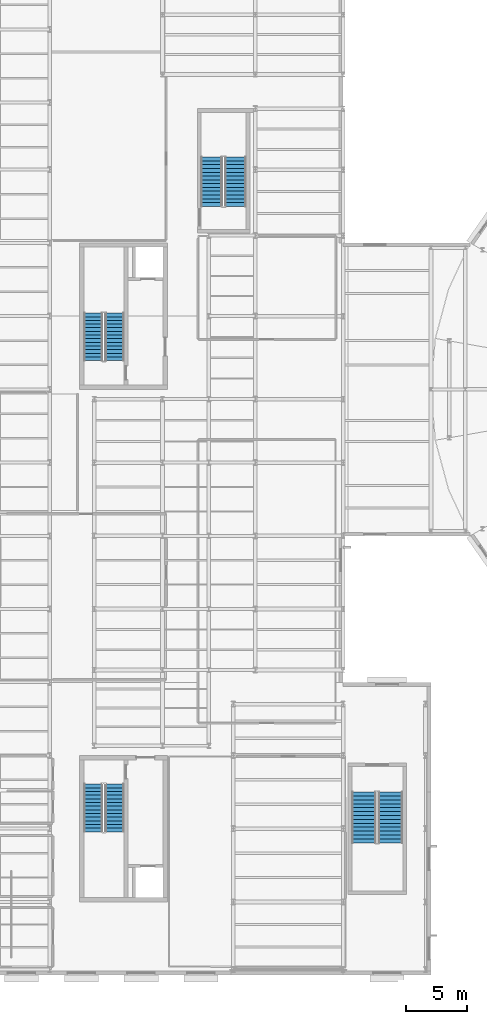
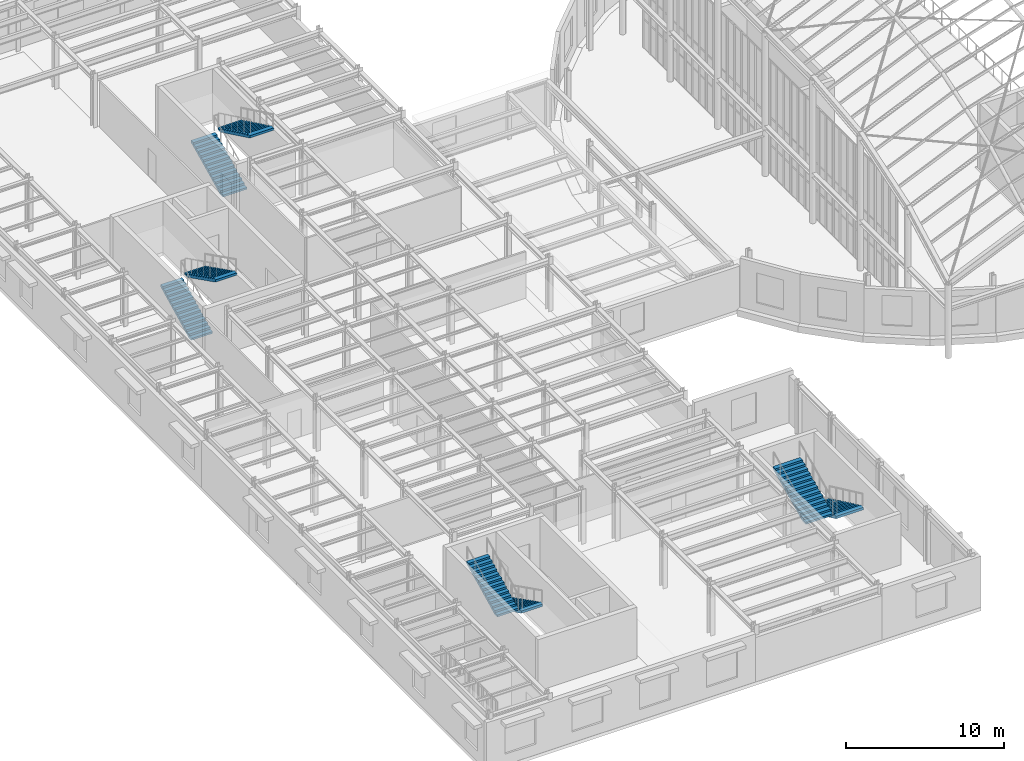
# One storey, part 68 of 75: 8 stair flights, 4 elements without a shape of their own.
"""IFC4 building model written with IfcOpenShell, lengths in metres."""

from ifc_helpers import new_model, si_unit, direction, frame, origin, place, context, subcontext, project, spatial, polyline, outline, extrude, material, type_object, element, aggregate, save


model = new_model("IFC4")

# Units and contexts
model_context = context("Model", 3, precision=1e-05, world=origin(), true_north=direction((0.0, 1.0)))
body_context = subcontext(model_context, "Body", "Model", "MODEL_VIEW")
ifc_project = project(units=[si_unit("LENGTHUNIT", "METRE"), si_unit("AREAUNIT", "SQUARE_METRE"), si_unit("VOLUMEUNIT", "CUBIC_METRE"), si_unit("PLANEANGLEUNIT", "RADIAN"), si_unit("MASSUNIT", "GRAM", prefix="KILO")], contexts=[model_context])

# Site, building, storey
site_placement = place(None, origin())
site = spatial("IfcSite", under=ifc_project, at=site_placement, CompositionType="ELEMENT")
building_placement = place(site_placement, origin())
building = spatial("IfcBuilding", under=site, at=building_placement, Name="Kolvaren Corner Interchange", CompositionType="ELEMENT")
storey_placement = place(building_placement, frame((0.0, 0.0, 10.5)))
storey = spatial("IfcBuildingStorey", under=building, at=storey_placement, Name="L03", CompositionType="ELEMENT", Elevation=10.5)

# Stair, stair flights
ifc_material_1 = material(Name="Concrete C35/45", Category="concrete")
stair_type_1 = type_object("IfcStairType", Name="ST-FF-1550", PredefinedType="HALF_TURN_STAIR", material=ifc_material_1)
stair_1_placement = place(storey_placement, origin())
stair_1 = element("IfcStair", 1, at=stair_1_placement, inside=storey, type_object=stair_type_1, Name="Core C1 Southwest Firefighting Stair L03 to L04 Stair", PredefinedType="HALF_TURN_STAIR")
ifc_material_2 = material(Name="Concrete C35/45", Category="concrete")
stair_flight_type_1 = type_object("IfcStairFlightType", Name="SFT-FF-1550", PredefinedType="STRAIGHT", material=ifc_material_2)
stair_flight_1_placement = place(storey_placement, frame((10.074951171875, 15.64990234375, 0.0), z_axis=(0.0, 0.0, 1.0), x_axis=(0.0, -1.0, 0.0)))
stair_flight_1 = element("IfcStairFlight", 2, at=stair_flight_1_placement, type_object=stair_flight_type_1, Name="Core C1 Southwest Firefighting Stair L03 Lower Flight", NumberOfRisers=14, NumberOfTreads=13, PredefinedType="STRAIGHT", RiserHeight=0.15, TreadLength=0.3, context=body_context, shape_type="SweptSolid", body=[
    extrude(outline(polyline([(0.0, 0.0), (0.0, 0.14990234375), (0.300048828125, 0.14990234375), (0.300048828125, 0.300048828125), (0.60009765625, 0.300048828125), (0.60009765625, 0.449951171875), (0.89990234375, 0.449951171875), (0.89990234375, 0.60009765625), (1.199951171875, 0.60009765625), (1.199951171875, 0.75), (1.5, 0.75), (1.5, 0.89990234375), (1.800048828125, 0.89990234375), (1.800048828125, 1.050048828125), (2.10009765625, 1.050048828125), (2.10009765625, 1.199951171875), (2.39990234375, 1.199951171875), (2.39990234375, 1.35009765625), (2.699951171875, 1.35009765625), (2.699951171875, 1.5), (3.0, 1.5), (3.0, 1.64990234375), (3.300048828125, 1.64990234375), (3.300048828125, 1.800048828125), (3.60009765625, 1.800048828125), (3.60009765625, 1.949951171875), (3.89990234375, 1.949951171875), (3.89990234375, 2.10009765625), (3.89990234375, 1.771240234375), (0.357666015625, 0.0), (0.0, 0.0)])), frame((0.0, 0.77490234375, 0.0), z_axis=(0.0, -1.0, 0.0), x_axis=(1.0, 0.0, 0.0)), (0.0, 0.0, 1.0), 1.550048828125),
])
stair_flight_2_placement = place(storey_placement, frame((8.324951171875, 11.75, 2.10009765625), z_axis=(0.0, 0.0, 1.0), x_axis=(0.0, 1.0, 0.0)))
stair_flight_2 = element("IfcStairFlight", 3, at=stair_flight_2_placement, type_object=stair_flight_type_1, Name="Core C1 Southwest Firefighting Stair L03 Upper Flight", NumberOfRisers=14, NumberOfTreads=13, PredefinedType="STRAIGHT", RiserHeight=0.15, TreadLength=0.3, context=body_context, shape_type="SweptSolid", body=[
    extrude(outline(polyline([(0.0, 0.0), (0.0, 0.14990234375), (0.300048828125, 0.14990234375), (0.300048828125, 0.300048828125), (0.60009765625, 0.300048828125), (0.60009765625, 0.449951171875), (0.89990234375, 0.449951171875), (0.89990234375, 0.60009765625), (1.199951171875, 0.60009765625), (1.199951171875, 0.75), (1.5, 0.75), (1.5, 0.89990234375), (1.800048828125, 0.89990234375), (1.800048828125, 1.050048828125), (2.10009765625, 1.050048828125), (2.10009765625, 1.199951171875), (2.39990234375, 1.199951171875), (2.39990234375, 1.35009765625), (2.699951171875, 1.35009765625), (2.699951171875, 1.5), (3.0, 1.5), (3.0, 1.64990234375), (3.300048828125, 1.64990234375), (3.300048828125, 1.800048828125), (3.60009765625, 1.800048828125), (3.60009765625, 1.949951171875), (3.89990234375, 1.949951171875), (3.89990234375, 2.10009765625), (3.89990234375, 1.771240234375), (0.357666015625, 0.0), (0.0, 0.0)])), frame((0.0, 0.77490234375, 0.0), z_axis=(0.0, -1.0, 0.0), x_axis=(1.0, 0.0, 0.0)), (0.0, 0.0, 1.0), 1.550048828125),
])
aggregate(stair_1, [stair_flight_1, stair_flight_2])

stair_2_placement = place(storey_placement, origin())
stair_2 = element("IfcStair", 4, at=stair_2_placement, inside=storey, type_object=stair_type_1, Name="Core C2 Northwest Firefighting Stair L03 to L04 Stair", PredefinedType="HALF_TURN_STAIR")
stair_flight_3_placement = place(storey_placement, frame((8.324951171875, 50.35009765625, 0.0), z_axis=(0.0, 0.0, 1.0), x_axis=(0.0, 1.0, 0.0)))
stair_flight_3 = element("IfcStairFlight", 5, at=stair_flight_3_placement, type_object=stair_flight_type_1, Name="Core C2 Northwest Firefighting Stair L03 Lower Flight", NumberOfRisers=14, NumberOfTreads=13, PredefinedType="STRAIGHT", RiserHeight=0.15, TreadLength=0.3, context=body_context, shape_type="SweptSolid", body=[
    extrude(outline(polyline([(0.0, 0.0), (0.0, 0.14990234375), (0.300048828125, 0.14990234375), (0.300048828125, 0.300048828125), (0.60009765625, 0.300048828125), (0.60009765625, 0.449951171875), (0.89990234375, 0.449951171875), (0.89990234375, 0.60009765625), (1.199951171875, 0.60009765625), (1.199951171875, 0.75), (1.5, 0.75), (1.5, 0.89990234375), (1.800048828125, 0.89990234375), (1.800048828125, 1.050048828125), (2.10009765625, 1.050048828125), (2.10009765625, 1.199951171875), (2.39990234375, 1.199951171875), (2.39990234375, 1.35009765625), (2.699951171875, 1.35009765625), (2.699951171875, 1.5), (3.0, 1.5), (3.0, 1.64990234375), (3.300048828125, 1.64990234375), (3.300048828125, 1.800048828125), (3.60009765625, 1.800048828125), (3.60009765625, 1.949951171875), (3.89990234375, 1.949951171875), (3.89990234375, 2.10009765625), (3.89990234375, 1.771240234375), (0.357666015625, 0.0), (0.0, 0.0)])), frame((0.0, 0.77490234375, 0.0), z_axis=(0.0, -1.0, 0.0), x_axis=(1.0, 0.0, 0.0)), (0.0, 0.0, 1.0), 1.550048828125),
])
stair_flight_4_placement = place(storey_placement, frame((10.074951171875, 54.25, 2.10009765625), z_axis=(0.0, 0.0, 1.0), x_axis=(0.0, -1.0, 0.0)))
stair_flight_4 = element("IfcStairFlight", 6, at=stair_flight_4_placement, type_object=stair_flight_type_1, Name="Core C2 Northwest Firefighting Stair L03 Upper Flight", NumberOfRisers=14, NumberOfTreads=13, PredefinedType="STRAIGHT", RiserHeight=0.15, TreadLength=0.3, context=body_context, shape_type="SweptSolid", body=[
    extrude(outline(polyline([(0.0, 0.0), (0.0, 0.14990234375), (0.300048828125, 0.14990234375), (0.300048828125, 0.300048828125), (0.60009765625, 0.300048828125), (0.60009765625, 0.449951171875), (0.89990234375, 0.449951171875), (0.89990234375, 0.60009765625), (1.199951171875, 0.60009765625), (1.199951171875, 0.75), (1.5, 0.75), (1.5, 0.89990234375), (1.800048828125, 0.89990234375), (1.800048828125, 1.050048828125), (2.10009765625, 1.050048828125), (2.10009765625, 1.199951171875), (2.39990234375, 1.199951171875), (2.39990234375, 1.35009765625), (2.699951171875, 1.35009765625), (2.699951171875, 1.5), (3.0, 1.5), (3.0, 1.64990234375), (3.300048828125, 1.64990234375), (3.300048828125, 1.800048828125), (3.60009765625, 1.800048828125), (3.60009765625, 1.949951171875), (3.89990234375, 1.949951171875), (3.89990234375, 2.10009765625), (3.89990234375, 1.771240234375), (0.357666015625, 0.0), (0.0, 0.0)])), frame((0.0, 0.77490234375, 0.0), z_axis=(0.0, -1.0, 0.0), x_axis=(1.0, 0.0, 0.0)), (0.0, 0.0, 1.0), 1.550048828125),
])
aggregate(stair_2, [stair_flight_3, stair_flight_4])

ifc_material_3 = material(Name="Concrete C35/45", Category="concrete")
stair_type_2 = type_object("IfcStairType", Name="ST-GL-2000", PredefinedType="HALF_TURN_STAIR", material=ifc_material_3)
stair_3_placement = place(storey_placement, origin())
stair_3 = element("IfcStair", 7, at=stair_3_placement, inside=storey, type_object=stair_type_2, Name="Operations South Bar Protected Exit Stair L03 to L04 Stair", PredefinedType="HALF_TURN_STAIR")
ifc_material_4 = material(Name="Concrete C35/45", Category="concrete")
stair_flight_type_2 = type_object("IfcStairFlightType", Name="SFT-GL-2000", PredefinedType="STRAIGHT", material=ifc_material_4)
stair_flight_5_placement = place(storey_placement, frame((32.699951171875, 15.0, 0.0), z_axis=(0.0, 0.0, 1.0), x_axis=(0.0, -1.0, 0.0)))
stair_flight_5 = element("IfcStairFlight", 8, at=stair_flight_5_placement, type_object=stair_flight_type_2, Name="Operations South Bar Protected Exit Stair L03 Lower Flight", NumberOfRisers=14, NumberOfTreads=13, PredefinedType="STRAIGHT", RiserHeight=0.15, TreadLength=0.32, context=body_context, shape_type="SweptSolid", body=[
    extrude(outline(polyline([(0.0, 0.0), (0.0, 0.14990234375), (0.320068359375, 0.14990234375), (0.320068359375, 0.300048828125), (0.639892578125, 0.300048828125), (0.639892578125, 0.449951171875), (0.9599609375, 0.449951171875), (0.9599609375, 0.60009765625), (1.280029296875, 0.60009765625), (1.280029296875, 0.75), (1.60009765625, 0.75), (1.60009765625, 0.89990234375), (1.919921875, 0.89990234375), (1.919921875, 1.050048828125), (2.239990234375, 1.050048828125), (2.239990234375, 1.199951171875), (2.56005859375, 1.199951171875), (2.56005859375, 1.35009765625), (2.8798828125, 1.35009765625), (2.8798828125, 1.5), (3.199951171875, 1.5), (3.199951171875, 1.64990234375), (3.52001953125, 1.64990234375), (3.52001953125, 1.800048828125), (3.840087890625, 1.800048828125), (3.840087890625, 1.949951171875), (4.159912109375, 1.949951171875), (4.159912109375, 2.10009765625), (4.159912109375, 1.762451171875), (0.400390625, 0.0), (0.0, 0.0)])), frame((0.0, 1.0, 0.0), z_axis=(0.0, -1.0, 0.0), x_axis=(1.0, 0.0, 0.0)), (0.0, 0.0, 1.0), 2.0),
])
stair_flight_6_placement = place(storey_placement, frame((30.5, 10.840087890625, 2.10009765625), z_axis=(0.0, 0.0, 1.0), x_axis=(0.0, 1.0, 0.0)))
stair_flight_6 = element("IfcStairFlight", 9, at=stair_flight_6_placement, type_object=stair_flight_type_2, Name="Operations South Bar Protected Exit Stair L03 Upper Flight", NumberOfRisers=14, NumberOfTreads=13, PredefinedType="STRAIGHT", RiserHeight=0.15, TreadLength=0.32, context=body_context, shape_type="SweptSolid", body=[
    extrude(outline(polyline([(0.0, 0.0), (0.0, 0.14990234375), (0.320068359375, 0.14990234375), (0.320068359375, 0.300048828125), (0.639892578125, 0.300048828125), (0.639892578125, 0.449951171875), (0.9599609375, 0.449951171875), (0.9599609375, 0.60009765625), (1.280029296875, 0.60009765625), (1.280029296875, 0.75), (1.60009765625, 0.75), (1.60009765625, 0.89990234375), (1.919921875, 0.89990234375), (1.919921875, 1.050048828125), (2.239990234375, 1.050048828125), (2.239990234375, 1.199951171875), (2.56005859375, 1.199951171875), (2.56005859375, 1.35009765625), (2.8798828125, 1.35009765625), (2.8798828125, 1.5), (3.199951171875, 1.5), (3.199951171875, 1.64990234375), (3.52001953125, 1.64990234375), (3.52001953125, 1.800048828125), (3.840087890625, 1.800048828125), (3.840087890625, 1.949951171875), (4.159912109375, 1.949951171875), (4.159912109375, 2.10009765625), (4.159912109375, 1.762451171875), (0.400390625, 0.0), (0.0, 0.0)])), frame((0.0, 1.0, 0.0), z_axis=(0.0, -1.0, 0.0), x_axis=(1.0, 0.0, 0.0)), (0.0, 0.0, 1.0), 2.0),
])
aggregate(stair_3, [stair_flight_5, stair_flight_6])

ifc_material_5 = material(Name="Concrete C35/45", Category="concrete")
stair_type_3 = type_object("IfcStairType", Name="ST-OP-1750", PredefinedType="HALF_TURN_STAIR", material=ifc_material_5)
stair_4_placement = place(storey_placement, origin())
stair_4 = element("IfcStair", 10, at=stair_4_placement, inside=storey, type_object=stair_type_3, Name="Operations North Wing Protected Exit Stair L03 to L04 Stair", PredefinedType="HALF_TURN_STAIR")
ifc_material_6 = material(Name="Concrete C35/45", Category="concrete")
stair_flight_type_3 = type_object("IfcStairFlightType", Name="SFT-OP-1750", PredefinedType="STRAIGHT", material=ifc_material_6)
stair_flight_7_placement = place(storey_placement, frame((18.02490234375, 63.0, 0.0), z_axis=(0.0, 0.0, 1.0), x_axis=(0.0, 1.0, 0.0)))
stair_flight_7 = element("IfcStairFlight", 11, at=stair_flight_7_placement, type_object=stair_flight_type_3, Name="Operations North Wing Protected Exit Stair L03 Lower Flight", NumberOfRisers=14, NumberOfTreads=13, PredefinedType="STRAIGHT", RiserHeight=0.15, TreadLength=0.31, context=body_context, shape_type="SweptSolid", body=[
    extrude(outline(polyline([(0.0, 0.0), (0.0, 0.14990234375), (0.31005859375, 0.14990234375), (0.31005859375, 0.300048828125), (0.6201171875, 0.300048828125), (0.6201171875, 0.449951171875), (0.929931640625, 0.449951171875), (0.929931640625, 0.60009765625), (1.239990234375, 0.60009765625), (1.239990234375, 0.75), (1.550048828125, 0.75), (1.550048828125, 0.89990234375), (1.860107421875, 0.89990234375), (1.860107421875, 1.050048828125), (2.169921875, 1.050048828125), (2.169921875, 1.199951171875), (2.47998046875, 1.199951171875), (2.47998046875, 1.35009765625), (2.7900390625, 1.35009765625), (2.7900390625, 1.5), (3.10009765625, 1.5), (3.10009765625, 1.64990234375), (3.409912109375, 1.64990234375), (3.409912109375, 1.800048828125), (3.719970703125, 1.800048828125), (3.719970703125, 1.949951171875), (4.030029296875, 1.949951171875), (4.030029296875, 2.10009765625), (4.030029296875, 1.7724609375), (0.3671875, 0.0), (0.0, 0.0)])), frame((0.0, 0.875, 0.0), z_axis=(0.0, -1.0, 0.0), x_axis=(1.0, 0.0, 0.0)), (0.0, 0.0, 1.0), 1.75),
])
stair_flight_8_placement = place(storey_placement, frame((19.97509765625, 67.030029296875, 2.10009765625), z_axis=(0.0, 0.0, 1.0), x_axis=(0.0, -1.0, 0.0)))
stair_flight_8 = element("IfcStairFlight", 12, at=stair_flight_8_placement, type_object=stair_flight_type_3, Name="Operations North Wing Protected Exit Stair L03 Upper Flight", NumberOfRisers=14, NumberOfTreads=13, PredefinedType="STRAIGHT", RiserHeight=0.15, TreadLength=0.31, context=body_context, shape_type="SweptSolid", body=[
    extrude(outline(polyline([(0.0, 0.0), (0.0, 0.14990234375), (0.31005859375, 0.14990234375), (0.31005859375, 0.300048828125), (0.6201171875, 0.300048828125), (0.6201171875, 0.449951171875), (0.929931640625, 0.449951171875), (0.929931640625, 0.60009765625), (1.239990234375, 0.60009765625), (1.239990234375, 0.75), (1.550048828125, 0.75), (1.550048828125, 0.89990234375), (1.860107421875, 0.89990234375), (1.860107421875, 1.050048828125), (2.169921875, 1.050048828125), (2.169921875, 1.199951171875), (2.47998046875, 1.199951171875), (2.47998046875, 1.35009765625), (2.7900390625, 1.35009765625), (2.7900390625, 1.5), (3.10009765625, 1.5), (3.10009765625, 1.64990234375), (3.409912109375, 1.64990234375), (3.409912109375, 1.800048828125), (3.719970703125, 1.800048828125), (3.719970703125, 1.949951171875), (4.030029296875, 1.949951171875), (4.030029296875, 2.10009765625), (4.030029296875, 1.7724609375), (0.3671875, 0.0), (0.0, 0.0)])), frame((0.0, 0.875, 0.0), z_axis=(0.0, -1.0, 0.0), x_axis=(1.0, 0.0, 0.0)), (0.0, 0.0, 1.0), 1.75),
])
aggregate(stair_4, [stair_flight_7, stair_flight_8])

save(model, "model.ifc")
